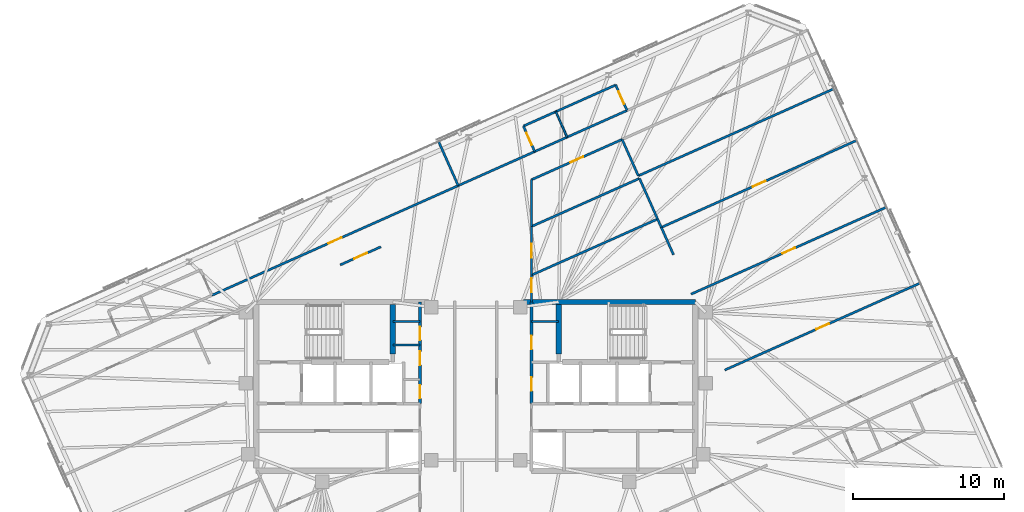
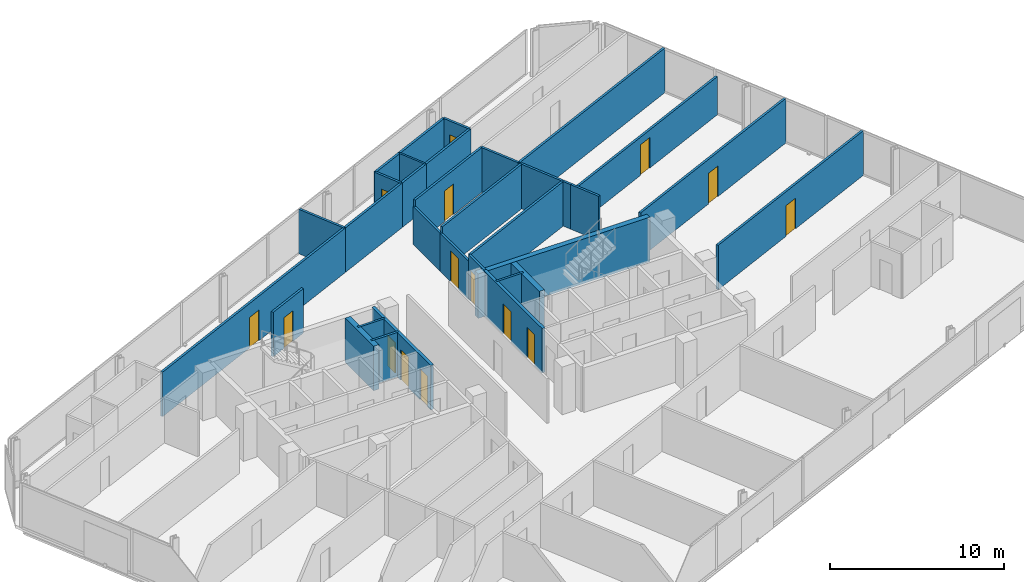
# One storey, part 16 of 19: 33 walls, 15 doors, 15 openings.
"""IFC4 building model written with IfcOpenShell, lengths in metres."""

from ifc_helpers import new_model, si_unit, direction, frame, frame_2d, origin, place, context, subcontext, project, spatial, rectangle, extrude, material, layer, layer_set, type_object, element, fill, save


model = new_model("IFC4")

# Units and contexts
model_context = context("Model", 3, precision=1e-05, world=origin(), true_north=direction((0.0, 1.0)))
body_context = subcontext(model_context, "Body", "Model", "MODEL_VIEW")
ifc_project = project(units=[si_unit("LENGTHUNIT", "METRE"), si_unit("AREAUNIT", "SQUARE_METRE"), si_unit("VOLUMEUNIT", "CUBIC_METRE"), si_unit("PLANEANGLEUNIT", "RADIAN"), si_unit("MASSUNIT", "GRAM", prefix="KILO")], contexts=[model_context])

# Site, building, storey
site_placement = place(None, origin())
site = spatial("IfcSite", under=ifc_project, at=site_placement, CompositionType="ELEMENT")
building_placement = place(site_placement, origin())
building = spatial("IfcBuilding", under=site, at=building_placement, Name="Menara Jurai Vektor", CompositionType="ELEMENT")
storey_placement = place(building_placement, frame((0.0, 0.0, 288.60009765625)))
storey = spatial("IfcBuildingStorey", under=building, at=storey_placement, Name="L77", CompositionType="ELEMENT", Elevation=288.60009765625)

# Walls
ifc_material_1 = material(Name="Gypsum Fireboard Partition", Category="gypsum")
ifc_layer_1 = layer(ifc_material_1, 0.14990234375)
ifc_layer_set_1 = layer_set([ifc_layer_1], Name="Gypsum Fireboard Partition")
wall_type_1 = type_object("IfcWallType", Name="INT-WALL-CORR-150", PredefinedType="PARTITIONING", material=ifc_layer_set_1)
for number, where, z_axis, x_axis, name in (
    (1, (-5.5, 4.300048828125, 0.0), (0.0, 0.0, 1.0), (1.0, 0.0, 0.0), "Interior Wall IW-150 L77"),
    (2, (-5.5, 2.75, 0.0), (0.0, 0.0, 1.0), (1.0, 0.0, 0.0), "Interior Wall IW-150 L77"),
    (3, (3.699951171875, 4.300048828125, 0.0), (0.0, 0.0, 1.0), (1.0, 0.0, 0.0), "Interior Wall IW-150 L77"),
):
    element("IfcWall", number, at=place(storey_placement, frame(where, z_axis=z_axis, x_axis=x_axis)), inside=storey, type_object=wall_type_1, Name=name, PredefinedType="PARTITIONING", context=body_context, shape_type="SweptSolid", body=[
        extrude(rectangle(XDim=1.800048828125, YDim=0.14990234375, at=frame_2d((0.89990234375, 0.0))), origin(), (0.0, 0.0, 1.0), 3.125),
    ])

# Wall, opening, door
wall_1_placement = place(storey_placement, frame((-17.499267578125, 6.03759765625, 0.0), z_axis=(0.0, 0.0, 1.0), x_axis=(0.913541623157, 0.406745255362, 0.0)))
wall_1 = element("IfcWall", 4, at=wall_1_placement, inside=storey, type_object=wall_type_1, Name="Interior Wall IW-150 L77", PredefinedType="PARTITIONING", context=body_context, shape_type="SweptSolid", body=[
    extrude(rectangle(XDim=17.879150390625, YDim=0.14990234375, at=frame_2d((8.939453125, 0.0))), origin(), (0.0, 0.0, 1.0), 3.125),
])
opening_1_placement = place(wall_1_placement, frame((8.464599609375, 0.0, 0.0)))
opening_1 = element("IfcOpeningElement", 5, at=opening_1_placement, cuts=wall_1, Name="Opening D77-10", PredefinedType="OPENING", context=body_context, shape_type="SweptSolid", body=[
    extrude(rectangle(XDim=0.949951171875, YDim=2.14990234375, at=frame_2d((0.47509765625, 1.074951171875))), frame((0.0, 0.0849609375, 0.0), z_axis=(0.0, -1.0, 0.0), x_axis=(1.0, 0.0, 0.0)), (0.0, 0.0, 1.0), 0.169921875),
])
ifc_material_2 = material(Name="Solid Core Timber Fire Door", Category="wood")
door_type_1 = type_object("IfcDoorType", Name="DR-ENTRY-950", OperationType="NOTDEFINED", PredefinedType="DOOR", material=ifc_material_2)
door_1_placement = place(opening_1_placement, origin())
door_1 = element("IfcDoor", 6, at=door_1_placement, inside=storey, type_object=door_type_1, Name="Interior Door D77-10", OperationType="SINGLE_SWING_RIGHT", OverallHeight=2.14990234375, OverallWidth=0.949951171875, PredefinedType="DOOR", context=body_context, shape_type="SweptSolid", body=[
    extrude(rectangle(XDim=0.949951171875, YDim=2.14990234375, at=frame_2d((0.47509765625, 1.074951171875))), frame((0.0, 0.02490234375, 0.0), z_axis=(0.0, -1.0, 0.0), x_axis=(1.0, 0.0, 0.0)), (0.0, 0.0, 1.0), 0.050048828125),
])
fill(opening_1, door_1)

# Walls
wall_2_placement = place(storey_placement, frame((-1.166015625, 13.309814453125, 0.0), z_axis=(0.0, 0.0, 1.0), x_axis=(0.913554005831, 0.406717442988, 0.0)))
element("IfcWall", 7, at=wall_2_placement, inside=storey, type_object=wall_type_1, Name="Interior Wall IW-150 L77", PredefinedType="PARTITIONING", context=body_context, shape_type="SweptSolid", body=[
    extrude(rectangle(XDim=5.554931640625, YDim=0.14990234375, at=frame_2d((2.77734375, 0.0))), origin(), (0.0, 0.0, 1.0), 3.125),
])
wall_3_placement = place(storey_placement, frame((3.90869140625, 15.569091796875, 0.0), z_axis=(0.0, 0.0, 1.0), x_axis=(0.913541436194, 0.406745675276, 0.0)))
element("IfcWall", 8, at=wall_3_placement, inside=storey, type_object=wall_type_1, Name="Interior Wall IW-150 L77", PredefinedType="PARTITIONING", context=body_context, shape_type="SweptSolid", body=[
    extrude(rectangle(XDim=2.349853515625, YDim=0.14990234375, at=frame_2d((1.1748046875, 0.0))), origin(), (0.0, 0.0, 1.0), 3.125),
])
wall_4_placement = place(storey_placement, frame((6.055419921875, 16.52490234375, 0.0), z_axis=(0.0, 0.0, 1.0), x_axis=(0.913554477336, 0.406716383908, 0.0)))
element("IfcWall", 9, at=wall_4_placement, inside=storey, type_object=wall_type_1, Name="Interior Wall IW-150 L77", PredefinedType="PARTITIONING", context=body_context, shape_type="SweptSolid", body=[
    extrude(rectangle(XDim=4.35009765625, YDim=0.14990234375, at=frame_2d((2.175048828125, 0.0))), origin(), (0.0, 0.0, 1.0), 3.125),
])

# Wall, opening, door
wall_5_placement = place(storey_placement, frame((3.7001953125, 5.6005859375, 0.0), z_axis=(0.0, 0.0, 1.0), x_axis=(0.0, 1.0, 0.0)))
wall_5 = element("IfcWall", 10, at=wall_5_placement, inside=storey, type_object=wall_type_1, Name="Interior Wall IW-150 L77", PredefinedType="PARTITIONING", context=body_context, shape_type="SweptSolid", body=[
    extrude(rectangle(XDim=1.775390625, YDim=0.14990234375, at=frame_2d((0.8876953125, 0.0))), origin(), (0.0, 0.0, 1.0), 3.125),
])
opening_2_placement = place(wall_5_placement, frame((0.635498046875, 0.0, 0.0)))
opening_2 = element("IfcOpeningElement", 11, at=opening_2_placement, cuts=wall_5, Name="Opening D77-37", PredefinedType="OPENING", context=body_context, shape_type="SweptSolid", body=[
    extrude(rectangle(XDim=0.919921875, YDim=2.14990234375, at=frame_2d((0.4599609375, 1.074951171875))), frame((0.0, 0.0849609375, 0.0), z_axis=(0.0, -1.0, 0.0), x_axis=(1.0, 0.0, 0.0)), (0.0, 0.0, 1.0), 0.169921875),
])
door_2_placement = place(opening_2_placement, origin())
door_2 = element("IfcDoor", 12, at=door_2_placement, inside=storey, type_object=door_type_1, Name="Interior Door D77-37", OperationType="SINGLE_SWING_LEFT", OverallHeight=2.14990234375, OverallWidth=0.919921875, PredefinedType="DOOR", context=body_context, shape_type="SweptSolid", body=[
    extrude(rectangle(XDim=0.919921875, YDim=2.14990234375, at=frame_2d((0.4599609375, 1.074951171875))), frame((0.0, 0.02490234375, 0.0), z_axis=(0.0, -1.0, 0.0), x_axis=(1.0, 0.0, 0.0)), (0.0, 0.0, 1.0), 0.050048828125),
])
fill(opening_2, door_2)

wall_6_placement = place(storey_placement, frame((3.69970703125, 13.702880859375, 0.0), z_axis=(0.0, 0.0, 1.0), x_axis=(0.913549363376, 0.406727870542, 0.0)))
wall_6 = element("IfcWall", 13, at=wall_6_placement, inside=storey, type_object=wall_type_1, Name="Interior Wall IW-150 L77", PredefinedType="PARTITIONING", context=body_context, shape_type="SweptSolid", body=[
    extrude(rectangle(XDim=6.571044921875, YDim=0.14990234375, at=frame_2d((3.28564453125, 0.0))), origin(), (0.0, 0.0, 1.0), 3.125),
])
opening_3_placement = place(wall_6_placement, frame((2.825439453125, 0.0, 0.0)))
opening_3 = element("IfcOpeningElement", 14, at=opening_3_placement, cuts=wall_6, Name="Opening D77-39", PredefinedType="OPENING", context=body_context, shape_type="SweptSolid", body=[
    extrude(rectangle(XDim=0.919921875, YDim=2.14990234375, at=frame_2d((0.4599609375, 1.074951171875))), frame((0.0, 0.0849609375, 0.0), z_axis=(0.0, -1.0, 0.0), x_axis=(1.0, 0.0, 0.0)), (0.0, 0.0, 1.0), 0.169921875),
])
door_3_placement = place(opening_3_placement, origin())
door_3 = element("IfcDoor", 15, at=door_3_placement, inside=storey, type_object=door_type_1, Name="Interior Door D77-39", OperationType="SINGLE_SWING_LEFT", OverallHeight=2.14990234375, OverallWidth=0.919921875, PredefinedType="DOOR", context=body_context, shape_type="SweptSolid", body=[
    extrude(rectangle(XDim=0.919921875, YDim=2.14990234375, at=frame_2d((0.4599609375, 1.074951171875))), frame((0.0, 0.02490234375, 0.0), z_axis=(0.0, -1.0, 0.0), x_axis=(1.0, 0.0, 0.0)), (0.0, 0.0, 1.0), 0.050048828125),
])
fill(opening_3, door_3)

wall_7_placement = place(storey_placement, frame((-8.9921875, 8.052001953125, 0.0), z_axis=(0.0, 0.0, 1.0), x_axis=(0.913535467925, 0.406759079607, 0.0)))
wall_7 = element("IfcWall", 16, at=wall_7_placement, inside=storey, type_object=wall_type_1, Name="Interior Wall IW-150 L77", PredefinedType="PARTITIONING", context=body_context, shape_type="SweptSolid", body=[
    extrude(rectangle(XDim=2.9560546875, YDim=0.14990234375, at=frame_2d((1.47802734375, 0.0))), origin(), (0.0, 0.0, 1.0), 3.125),
])
opening_4_placement = place(wall_7_placement, frame((1.01806640625, 0.0, 0.0)))
opening_4 = element("IfcOpeningElement", 17, at=opening_4_placement, cuts=wall_7, Name="Opening D77-41", PredefinedType="OPENING", context=body_context, shape_type="SweptSolid", body=[
    extrude(rectangle(XDim=0.919921875, YDim=2.14990234375, at=frame_2d((0.4599609375, 1.074951171875))), frame((0.0, 0.0849609375, 0.0), z_axis=(0.0, -1.0, 0.0), x_axis=(1.0, 0.0, 0.0)), (0.0, 0.0, 1.0), 0.169921875),
])
door_4_placement = place(opening_4_placement, origin())
door_4 = element("IfcDoor", 18, at=door_4_placement, inside=storey, type_object=door_type_1, Name="Interior Door D77-41", OperationType="SINGLE_SWING_LEFT", OverallHeight=2.14990234375, OverallWidth=0.919921875, PredefinedType="DOOR", context=body_context, shape_type="SweptSolid", body=[
    extrude(rectangle(XDim=0.919921875, YDim=2.14990234375, at=frame_2d((0.4599609375, 1.074951171875))), frame((0.0, 0.02490234375, 0.0), z_axis=(0.0, -1.0, 0.0), x_axis=(1.0, 0.0, 0.0)), (0.0, 0.0, 1.0), 0.050048828125),
])
fill(opening_4, door_4)

# Wall
wall_8_placement = place(storey_placement, frame((-1.166015625, 13.309814453125, 0.0), z_axis=(0.0, 0.0, 1.0), x_axis=(-0.406761717745, 0.913534293268, 0.0)))
element("IfcWall", 19, at=wall_8_placement, inside=storey, type_object=wall_type_1, Name="Interior Wall IW-150 L77", PredefinedType="PARTITIONING", context=body_context, shape_type="SweptSolid", body=[
    extrude(rectangle(XDim=3.197998046875, YDim=0.14990234375, at=frame_2d((1.59912109375, 0.0))), origin(), (0.0, 0.0, 1.0), 3.125),
])

# Wall, opening, door
wall_9_placement = place(storey_placement, frame((3.90869140625, 15.569091796875, 0.0), z_axis=(0.0, 0.0, 1.0), x_axis=(-0.406701600856, 0.913561058639, 0.0)))
wall_9 = element("IfcWall", 20, at=wall_9_placement, inside=storey, type_object=wall_type_1, Name="Interior Wall IW-150 L77", PredefinedType="PARTITIONING", context=body_context, shape_type="SweptSolid", body=[
    extrude(rectangle(XDim=1.85009765625, YDim=0.14990234375, at=frame_2d((0.925048828125, 0.0))), origin(), (0.0, 0.0, 1.0), 3.125),
])
opening_5_placement = place(wall_9_placement, frame((0.485107421875, 0.0, 0.0)))
opening_5 = element("IfcOpeningElement", 21, at=opening_5_placement, cuts=wall_9, Name="Opening D77-14", PredefinedType="OPENING", context=body_context, shape_type="SweptSolid", body=[
    extrude(rectangle(XDim=0.8798828125, YDim=2.14990234375, at=frame_2d((0.43994140625, 1.074951171875))), frame((0.0, 0.0849609375, 0.0), z_axis=(0.0, -1.0, 0.0), x_axis=(1.0, 0.0, 0.0)), (0.0, 0.0, 1.0), 0.169921875),
])
ifc_material_3 = material(Name="Moisture-Resistant Timber Door", Category="wood")
door_type_2 = type_object("IfcDoorType", Name="DR-BATH-880", OperationType="NOTDEFINED", PredefinedType="DOOR", material=ifc_material_3)
door_5_placement = place(opening_5_placement, origin())
door_5 = element("IfcDoor", 22, at=door_5_placement, inside=storey, type_object=door_type_2, Name="Interior Door D77-14", OperationType="SINGLE_SWING_RIGHT", OverallHeight=2.14990234375, OverallWidth=0.8798828125, PredefinedType="DOOR", context=body_context, shape_type="SweptSolid", body=[
    extrude(rectangle(XDim=0.8798828125, YDim=2.14990234375, at=frame_2d((0.43994140625, 1.074951171875))), frame((0.0, 0.02490234375, 0.0), z_axis=(0.0, -1.0, 0.0), x_axis=(1.0, 0.0, 0.0)), (0.0, 0.0, 1.0), 0.050048828125),
])
fill(opening_5, door_5)

# Walls
wall_10_placement = place(storey_placement, frame((3.15625, 17.25927734375, 0.0), z_axis=(0.0, 0.0, 1.0), x_axis=(0.913541436194, 0.406745675276, 0.0)))
element("IfcWall", 23, at=wall_10_placement, inside=storey, type_object=wall_type_1, Name="Interior Wall IW-150 L77", PredefinedType="PARTITIONING", context=body_context, shape_type="SweptSolid", body=[
    extrude(rectangle(XDim=2.349853515625, YDim=0.14990234375, at=frame_2d((1.1748046875, 0.0))), origin(), (0.0, 0.0, 1.0), 3.125),
])
wall_11_placement = place(storey_placement, frame((5.302978515625, 18.215087890625, 0.0), z_axis=(0.0, 0.0, 1.0), x_axis=(0.913554477336, 0.406716383908, 0.0)))
element("IfcWall", 24, at=wall_11_placement, inside=storey, type_object=wall_type_1, Name="Interior Wall IW-150 L77", PredefinedType="PARTITIONING", context=body_context, shape_type="SweptSolid", body=[
    extrude(rectangle(XDim=4.35009765625, YDim=0.14990234375, at=frame_2d((2.175048828125, 0.0))), origin(), (0.0, 0.0, 1.0), 3.125),
])

# Wall, opening, door
wall_12_placement = place(storey_placement, frame((10.029541015625, 18.294189453125, 0.0), z_axis=(0.0, 0.0, 1.0), x_axis=(-0.406701600856, 0.913561058639, 0.0)))
wall_12 = element("IfcWall", 25, at=wall_12_placement, inside=storey, type_object=wall_type_1, Name="Interior Wall IW-150 L77", PredefinedType="PARTITIONING", context=body_context, shape_type="SweptSolid", body=[
    extrude(rectangle(XDim=1.85009765625, YDim=0.14990234375, at=frame_2d((0.925048828125, 0.0))), origin(), (0.0, 0.0, 1.0), 3.125),
])
opening_6_placement = place(wall_12_placement, frame((0.47509765625, 0.0, 0.0)))
opening_6 = element("IfcOpeningElement", 26, at=opening_6_placement, cuts=wall_12, Name="Opening D77-15", PredefinedType="OPENING", context=body_context, shape_type="SweptSolid", body=[
    extrude(rectangle(XDim=0.89990234375, YDim=2.14990234375, at=frame_2d((0.449951171875, 1.074951171875))), frame((0.0, 0.0849609375, 0.0), z_axis=(0.0, -1.0, 0.0), x_axis=(1.0, 0.0, 0.0)), (0.0, 0.0, 1.0), 0.169921875),
])
ifc_material_4 = material(Name="Acoustic Timber Interior Door", Category="wood")
door_type_3 = type_object("IfcDoorType", Name="DR-ROOM-900", OperationType="NOTDEFINED", PredefinedType="DOOR", material=ifc_material_4)
door_6_placement = place(opening_6_placement, origin())
door_6 = element("IfcDoor", 27, at=door_6_placement, inside=storey, type_object=door_type_3, Name="Interior Door D77-15", OperationType="SINGLE_SWING_LEFT", OverallHeight=2.14990234375, OverallWidth=0.89990234375, PredefinedType="DOOR", context=body_context, shape_type="SweptSolid", body=[
    extrude(rectangle(XDim=0.89990234375, YDim=2.14990234375, at=frame_2d((0.449951171875, 1.074951171875))), frame((0.0, 0.02490234375, 0.0), z_axis=(0.0, -1.0, 0.0), x_axis=(1.0, 0.0, 0.0)), (0.0, 0.0, 1.0), 0.050048828125),
])
fill(opening_6, door_6)

# Walls
wall_13_placement = place(storey_placement, frame((3.7001953125, 7.3759765625, 0.0), z_axis=(0.0, 0.0, 1.0), x_axis=(0.91354490899, 0.406737875367, 0.0)))
element("IfcWall", 28, at=wall_13_placement, inside=storey, type_object=wall_type_1, Name="Interior Wall IW-150 L77", PredefinedType="PARTITIONING", context=body_context, shape_type="SweptSolid", body=[
    extrude(rectangle(XDim=9.14404296875, YDim=0.14990234375, at=frame_2d((4.572021484375, 0.0))), origin(), (0.0, 0.0, 1.0), 3.125),
])
wall_14_placement = place(storey_placement, frame((13.108642578125, 8.7255859375, 0.0), z_axis=(0.0, 0.0, 1.0), x_axis=(-0.406788519224, 0.913522359128, 0.0)))
element("IfcWall", 29, at=wall_14_placement, inside=storey, type_object=wall_type_1, Name="Interior Wall IW-150 L77", PredefinedType="PARTITIONING", context=body_context, shape_type="SweptSolid", body=[
    extrude(rectangle(XDim=1.98583984375, YDim=0.14990234375, at=frame_2d((0.992919921875, 0.0))), origin(), (0.0, 0.0, 1.0), 3.125),
])
wall_15_placement = place(storey_placement, frame((12.30078125, 10.539794921875, 0.0), z_axis=(0.0, 0.0, 1.0), x_axis=(-0.406436552015, 0.913679007741, 0.0)))
element("IfcWall", 30, at=wall_15_placement, inside=storey, type_object=wall_type_1, Name="Interior Wall IW-150 L77", PredefinedType="PARTITIONING", context=body_context, shape_type="SweptSolid", body=[
    extrude(rectangle(XDim=0.60791015625, YDim=0.14990234375, at=frame_2d((0.303955078125, 0.0))), origin(), (0.0, 0.0, 1.0), 3.125),
])
wall_16_placement = place(storey_placement, frame((3.7001953125, 10.60400390625, 0.0), z_axis=(0.0, 0.0, 1.0), x_axis=(0.913534926439, 0.406760295722, 0.0)))
element("IfcWall", 31, at=wall_16_placement, inside=storey, type_object=wall_type_1, Name="Interior Wall IW-150 L77", PredefinedType="PARTITIONING", context=body_context, shape_type="SweptSolid", body=[
    extrude(rectangle(XDim=7.830810546875, YDim=0.14990234375, at=frame_2d((3.91552734375, 0.0))), origin(), (0.0, 0.0, 1.0), 3.125),
])
wall_17_placement = place(storey_placement, frame((12.0537109375, 11.09521484375, 0.0), z_axis=(0.0, 0.0, 1.0), x_axis=(-0.406798922371, 0.91351772657, 0.0)))
element("IfcWall", 32, at=wall_17_placement, inside=storey, type_object=wall_type_1, Name="Interior Wall IW-150 L77", PredefinedType="PARTITIONING", context=body_context, shape_type="SweptSolid", body=[
    extrude(rectangle(XDim=2.94921875, YDim=0.14990234375, at=frame_2d((1.474609375, 0.0))), origin(), (0.0, 0.0, 1.0), 3.125),
])
wall_18_placement = place(storey_placement, frame((10.777587890625, 13.9609375, 0.0), z_axis=(0.0, 0.0, 1.0), x_axis=(-0.406712614091, 0.913556155657, 0.0)))
element("IfcWall", 33, at=wall_18_placement, inside=storey, type_object=wall_type_1, Name="Interior Wall IW-150 L77", PredefinedType="PARTITIONING", context=body_context, shape_type="SweptSolid", body=[
    extrude(rectangle(XDim=2.64306640625, YDim=0.14990234375, at=frame_2d((1.321533203125, 0.0))), origin(), (0.0, 0.0, 1.0), 3.125),
])

# Wall, opening, door
wall_19_placement = place(storey_placement, frame((16.51171875, 1.081787109375, 0.0), z_axis=(0.0, 0.0, 1.0), x_axis=(0.913544622417, 0.406738519018, 0.0)))
wall_19 = element("IfcWall", 34, at=wall_19_placement, inside=storey, type_object=wall_type_1, Name="Interior Wall IW-150 L77", PredefinedType="PARTITIONING", context=body_context, shape_type="SweptSolid", body=[
    extrude(rectangle(XDim=14.192138671875, YDim=0.14990234375, at=frame_2d((7.09619140625, 0.0))), origin(), (0.0, 0.0, 1.0), 3.125),
])
opening_7_placement = place(wall_19_placement, frame((6.635986328125, 0.0, 0.0)))
opening_7 = element("IfcOpeningElement", 35, at=opening_7_placement, cuts=wall_19, Name="Opening D77-43", PredefinedType="OPENING", context=body_context, shape_type="SweptSolid", body=[
    extrude(rectangle(XDim=0.919921875, YDim=2.14990234375, at=frame_2d((0.4599609375, 1.074951171875))), frame((0.0, 0.0849609375, 0.0), z_axis=(0.0, -1.0, 0.0), x_axis=(1.0, 0.0, 0.0)), (0.0, 0.0, 1.0), 0.169921875),
])
door_7_placement = place(opening_7_placement, origin())
door_7 = element("IfcDoor", 36, at=door_7_placement, inside=storey, type_object=door_type_1, Name="Interior Door D77-43", OperationType="SINGLE_SWING_LEFT", OverallHeight=2.14990234375, OverallWidth=0.919921875, PredefinedType="DOOR", context=body_context, shape_type="SweptSolid", body=[
    extrude(rectangle(XDim=0.919921875, YDim=2.14990234375, at=frame_2d((0.4599609375, 1.074951171875))), frame((0.0, 0.02490234375, 0.0), z_axis=(0.0, -1.0, 0.0), x_axis=(1.0, 0.0, 0.0)), (0.0, 0.0, 1.0), 0.050048828125),
])
fill(opening_7, door_7)

wall_20_placement = place(storey_placement, frame((14.27197265625, 6.11279296875, 0.0), z_axis=(0.0, 0.0, 1.0), x_axis=(0.913551014388, 0.406724162191, 0.0)))
wall_20 = element("IfcWall", 37, at=wall_20_placement, inside=storey, type_object=wall_type_1, Name="Interior Wall IW-150 L77", PredefinedType="PARTITIONING", context=body_context, shape_type="SweptSolid", body=[
    extrude(rectangle(XDim=14.19189453125, YDim=0.14990234375, at=frame_2d((7.095947265625, 0.0))), origin(), (0.0, 0.0, 1.0), 3.125),
])
opening_8_placement = place(wall_20_placement, frame((6.635986328125, 0.0, 0.0)))
opening_8 = element("IfcOpeningElement", 38, at=opening_8_placement, cuts=wall_20, Name="Opening D77-44", PredefinedType="OPENING", context=body_context, shape_type="SweptSolid", body=[
    extrude(rectangle(XDim=0.919921875, YDim=2.14990234375, at=frame_2d((0.4599609375, 1.074951171875))), frame((0.0, 0.0849609375, 0.0), z_axis=(0.0, -1.0, 0.0), x_axis=(1.0, 0.0, 0.0)), (0.0, 0.0, 1.0), 0.169921875),
])
door_8_placement = place(opening_8_placement, origin())
door_8 = element("IfcDoor", 39, at=door_8_placement, inside=storey, type_object=door_type_1, Name="Interior Door D77-44", OperationType="SINGLE_SWING_RIGHT", OverallHeight=2.14990234375, OverallWidth=0.919921875, PredefinedType="DOOR", context=body_context, shape_type="SweptSolid", body=[
    extrude(rectangle(XDim=0.919921875, YDim=2.14990234375, at=frame_2d((0.4599609375, 1.074951171875))), frame((0.0, 0.02490234375, 0.0), z_axis=(0.0, -1.0, 0.0), x_axis=(1.0, 0.0, 0.0)), (0.0, 0.0, 1.0), 0.050048828125),
])
fill(opening_8, door_8)

# Wall
wall_21_placement = place(storey_placement, frame((10.777587890625, 13.9609375, 0.0), z_axis=(0.0, 0.0, 1.0), x_axis=(0.913544622417, 0.406738519018, 0.0)))
element("IfcWall", 40, at=wall_21_placement, inside=storey, type_object=wall_type_1, Name="Interior Wall IW-150 L77", PredefinedType="PARTITIONING", context=body_context, shape_type="SweptSolid", body=[
    extrude(rectangle(XDim=14.192138671875, YDim=0.14990234375, at=frame_2d((7.09619140625, 0.0))), origin(), (0.0, 0.0, 1.0), 3.125),
])

# Wall, opening, door
ifc_layer_2 = layer(ifc_material_1, 0.14990234375)
ifc_layer_set_2 = layer_set([ifc_layer_2], Name="Gypsum Fireboard Partition")
wall_type_2 = type_object("IfcWallType", Name="INT-WALL-CORR-150-H1", PredefinedType="PARTITIONING", material=ifc_layer_set_2)
wall_22_placement = place(storey_placement, frame((3.7001953125, 7.3759765625, 0.0), z_axis=(0.0, 0.0, 1.0), x_axis=(0.0, 1.0, 0.0)))
wall_22 = element("IfcWall", 41, at=wall_22_placement, inside=storey, type_object=wall_type_2, Name="Interior Wall IW-150 L77", PredefinedType="PARTITIONING", context=body_context, shape_type="SweptSolid", body=[
    extrude(rectangle(XDim=3.22802734375, YDim=0.14990234375, at=frame_2d((1.614013671875, 0.0))), origin(), (0.0, 0.0, 1.0), 2.6748046875),
])
opening_9_placement = place(wall_22_placement, frame((1.154052734375, 0.0, 0.0)))
opening_9 = element("IfcOpeningElement", 42, at=opening_9_placement, cuts=wall_22, Name="Opening D77-38", PredefinedType="OPENING", context=body_context, shape_type="SweptSolid", body=[
    extrude(rectangle(XDim=0.919921875, YDim=2.14990234375, at=frame_2d((0.4599609375, 1.074951171875))), frame((0.0, 0.0849609375, 0.0), z_axis=(0.0, -1.0, 0.0), x_axis=(1.0, 0.0, 0.0)), (0.0, 0.0, 1.0), 0.169921875),
])
door_9_placement = place(opening_9_placement, origin())
door_9 = element("IfcDoor", 43, at=door_9_placement, inside=storey, type_object=door_type_1, Name="Interior Door D77-38", OperationType="SINGLE_SWING_RIGHT", OverallHeight=2.14990234375, OverallWidth=0.919921875, PredefinedType="DOOR", context=body_context, shape_type="SweptSolid", body=[
    extrude(rectangle(XDim=0.919921875, YDim=2.14990234375, at=frame_2d((0.4599609375, 1.074951171875))), frame((0.0, 0.02490234375, 0.0), z_axis=(0.0, -1.0, 0.0), x_axis=(1.0, 0.0, 0.0)), (0.0, 0.0, 1.0), 0.050048828125),
])
fill(opening_9, door_9)

# Wall
wall_23_placement = place(storey_placement, frame((3.7001953125, 10.60400390625, 0.0), z_axis=(0.0, 0.0, 1.0), x_axis=(-0.000157567161, 0.999999987586, 0.0)))
element("IfcWall", 44, at=wall_23_placement, inside=storey, type_object=wall_type_2, Name="Interior Wall IW-150 L77", PredefinedType="PARTITIONING", context=body_context, shape_type="SweptSolid", body=[
    extrude(rectangle(XDim=3.098876953125, YDim=0.14990234375, at=frame_2d((1.54931640625, 0.0))), origin(), (0.0, 0.0, 1.0), 2.6748046875),
])

# Wall, opening, door
wall_24_placement = place(storey_placement, frame((12.30078125, 10.539794921875, 0.0), z_axis=(0.0, 0.0, 1.0), x_axis=(0.913544622417, 0.406738519018, 0.0)))
wall_24 = element("IfcWall", 45, at=wall_24_placement, inside=storey, type_object=wall_type_2, Name="Interior Wall IW-150 L77", PredefinedType="PARTITIONING", context=body_context, shape_type="SweptSolid", body=[
    extrude(rectangle(XDim=14.192138671875, YDim=0.14990234375, at=frame_2d((7.09619140625, 0.0))), origin(), (0.0, 0.0, 1.0), 2.6748046875),
])
opening_10_placement = place(wall_24_placement, frame((6.635986328125, 0.0, 0.0)))
opening_10 = element("IfcOpeningElement", 46, at=opening_10_placement, cuts=wall_24, Name="Opening D77-45", PredefinedType="OPENING", context=body_context, shape_type="SweptSolid", body=[
    extrude(rectangle(XDim=0.919921875, YDim=2.14990234375, at=frame_2d((0.4599609375, 1.074951171875))), frame((0.0, 0.0849609375, 0.0), z_axis=(0.0, -1.0, 0.0), x_axis=(1.0, 0.0, 0.0)), (0.0, 0.0, 1.0), 0.169921875),
])
door_10_placement = place(opening_10_placement, origin())
door_10 = element("IfcDoor", 47, at=door_10_placement, inside=storey, type_object=door_type_1, Name="Interior Door D77-45", OperationType="SINGLE_SWING_LEFT", OverallHeight=2.14990234375, OverallWidth=0.919921875, PredefinedType="DOOR", context=body_context, shape_type="SweptSolid", body=[
    extrude(rectangle(XDim=0.919921875, YDim=2.14990234375, at=frame_2d((0.4599609375, 1.074951171875))), frame((0.0, 0.02490234375, 0.0), z_axis=(0.0, -1.0, 0.0), x_axis=(1.0, 0.0, 0.0)), (0.0, 0.0, 1.0), 0.050048828125),
])
fill(opening_10, door_10)

# Wall
ifc_material_5 = material(Name="Gypsum Acoustic Stud Partition", Category="gypsum")
ifc_layer_3 = layer(ifc_material_5, 0.1201171875)
ifc_layer_set_3 = layer_set([ifc_layer_3], Name="Gypsum Acoustic Stud Partition")
wall_type_3 = type_object("IfcWallType", Name="INT-WALL-PART-120", PredefinedType="PARTITIONING", material=ifc_layer_set_3)
wall_25_placement = place(storey_placement, frame((6.055419921875, 16.52490234375, 0.0), z_axis=(0.0, 0.0, 1.0), x_axis=(-0.406701600856, 0.913561058639, 0.0)))
element("IfcWall", 48, at=wall_25_placement, inside=storey, type_object=wall_type_3, Name="Interior Wall IW-120 L77", PredefinedType="PARTITIONING", context=body_context, shape_type="SweptSolid", body=[
    extrude(rectangle(XDim=1.85009765625, YDim=0.1201171875, at=frame_2d((0.925048828125, 0.0))), origin(), (0.0, 0.0, 1.0), 3.125),
])

# Wall, openings, doors
ifc_material_6 = material(Name="Concrete C40/50", Category="concrete")
ifc_layer_4 = layer(ifc_material_6, 0.199951171875)
ifc_layer_set_4 = layer_set([ifc_layer_4], Name="Concrete C40/50")
wall_type_4 = type_object("IfcWallType", Name="INT-WALL-SHAFT-200", PredefinedType="STANDARD", material=ifc_layer_set_4)
wall_26_placement = place(storey_placement, frame((-3.699951171875, -1.14990234375, 0.0), z_axis=(0.0, 0.0, 1.0), x_axis=(0.0, 1.0, 0.0)))
wall_26 = element("IfcWall", 49, at=wall_26_placement, inside=storey, type_object=wall_type_4, Name="Interior Wall IW-200 L77", PredefinedType="STANDARD", context=body_context, shape_type="SweptSolid", body=[
    extrude(rectangle(XDim=6.75, YDim=0.199951171875, at=frame_2d((3.375, 0.0))), origin(), (0.0, 0.0, 1.0), 3.125),
])
opening_11_placement = place(wall_26_placement, frame((0.35009765625, 0.0, 0.0)))
opening_11 = element("IfcOpeningElement", 50, at=opening_11_placement, cuts=wall_26, Name="Opening D77-02", PredefinedType="OPENING", context=body_context, shape_type="SweptSolid", body=[
    extrude(rectangle(XDim=0.8798828125, YDim=2.14990234375, at=frame_2d((0.43994140625, 1.074951171875))), frame((0.0, 0.10986328125, 0.0), z_axis=(0.0, -1.0, 0.0), x_axis=(1.0, 0.0, 0.0)), (0.0, 0.0, 1.0), 0.219970703125),
])
opening_12_placement = place(wall_26_placement, frame((2.550048828125, 0.0, 0.0)))
opening_12 = element("IfcOpeningElement", 51, at=opening_12_placement, cuts=wall_26, Name="Opening D77-03", PredefinedType="OPENING", context=body_context, shape_type="SweptSolid", body=[
    extrude(rectangle(XDim=0.919921875, YDim=2.14990234375, at=frame_2d((0.4599609375, 1.074951171875))), frame((0.0, 0.10986328125, 0.0), z_axis=(0.0, -1.0, 0.0), x_axis=(1.0, 0.0, 0.0)), (0.0, 0.0, 1.0), 0.219970703125),
])
opening_13_placement = place(wall_26_placement, frame((4.219970703125, 0.0, 0.0)))
opening_13 = element("IfcOpeningElement", 52, at=opening_13_placement, cuts=wall_26, Name="Opening D77-04", PredefinedType="OPENING", context=body_context, shape_type="SweptSolid", body=[
    extrude(rectangle(XDim=0.8798828125, YDim=2.14990234375, at=frame_2d((0.43994140625, 1.074951171875))), frame((0.0, 0.10986328125, 0.0), z_axis=(0.0, -1.0, 0.0), x_axis=(1.0, 0.0, 0.0)), (0.0, 0.0, 1.0), 0.219970703125),
])
door_11_placement = place(opening_11_placement, origin())
door_11 = element("IfcDoor", 53, at=door_11_placement, inside=storey, type_object=door_type_1, Name="Interior Door D77-02", OperationType="SINGLE_SWING_LEFT", OverallHeight=2.14990234375, OverallWidth=0.8798828125, PredefinedType="DOOR", context=body_context, shape_type="SweptSolid", body=[
    extrude(rectangle(XDim=0.8798828125, YDim=2.14990234375, at=frame_2d((0.43994140625, 1.074951171875))), frame((0.0, 0.02490234375, 0.0), z_axis=(0.0, -1.0, 0.0), x_axis=(1.0, 0.0, 0.0)), (0.0, 0.0, 1.0), 0.050048828125),
])
fill(opening_11, door_11)
door_12_placement = place(opening_12_placement, origin())
door_12 = element("IfcDoor", 54, at=door_12_placement, inside=storey, type_object=door_type_1, Name="Interior Door D77-03", OperationType="SINGLE_SWING_LEFT", OverallHeight=2.14990234375, OverallWidth=0.919921875, PredefinedType="DOOR", context=body_context, shape_type="SweptSolid", body=[
    extrude(rectangle(XDim=0.919921875, YDim=2.14990234375, at=frame_2d((0.4599609375, 1.074951171875))), frame((0.0, 0.02490234375, 0.0), z_axis=(0.0, -1.0, 0.0), x_axis=(1.0, 0.0, 0.0)), (0.0, 0.0, 1.0), 0.050048828125),
])
fill(opening_12, door_12)
door_13_placement = place(opening_13_placement, origin())
door_13 = element("IfcDoor", 55, at=door_13_placement, inside=storey, type_object=door_type_1, Name="Interior Door D77-04", OperationType="SINGLE_SWING_LEFT", OverallHeight=2.14990234375, OverallWidth=0.8798828125, PredefinedType="DOOR", context=body_context, shape_type="SweptSolid", body=[
    extrude(rectangle(XDim=0.8798828125, YDim=2.14990234375, at=frame_2d((0.43994140625, 1.074951171875))), frame((0.0, 0.02490234375, 0.0), z_axis=(0.0, -1.0, 0.0), x_axis=(1.0, 0.0, 0.0)), (0.0, 0.0, 1.0), 0.050048828125),
])
fill(opening_13, door_13)

wall_27_placement = place(storey_placement, frame((3.699951171875, -1.14990234375, 0.0), z_axis=(0.0, 0.0, 1.0), x_axis=(0.0, 1.0, 0.0)))
wall_27 = element("IfcWall", 56, at=wall_27_placement, inside=storey, type_object=wall_type_4, Name="Interior Wall IW-200 L77", PredefinedType="STANDARD", context=body_context, shape_type="SweptSolid", body=[
    extrude(rectangle(XDim=6.75, YDim=0.199951171875, at=frame_2d((3.375, 0.0))), origin(), (0.0, 0.0, 1.0), 3.125),
])
opening_14_placement = place(wall_27_placement, frame((3.60009765625, 0.0, 0.0)))
opening_14 = element("IfcOpeningElement", 57, at=opening_14_placement, cuts=wall_27, Name="Opening D77-07", PredefinedType="OPENING", context=body_context, shape_type="SweptSolid", body=[
    extrude(rectangle(XDim=0.919921875, YDim=2.14990234375, at=frame_2d((0.4599609375, 1.074951171875))), frame((0.0, 0.10986328125, 0.0), z_axis=(0.0, -1.0, 0.0), x_axis=(1.0, 0.0, 0.0)), (0.0, 0.0, 1.0), 0.219970703125),
])
opening_15_placement = place(wall_27_placement, frame((0.85009765625, 0.0, 0.0)))
opening_15 = element("IfcOpeningElement", 58, at=opening_15_placement, cuts=wall_27, Name="Opening D77-08", PredefinedType="OPENING", context=body_context, shape_type="SweptSolid", body=[
    extrude(rectangle(XDim=0.89990234375, YDim=2.14990234375, at=frame_2d((0.449951171875, 1.074951171875))), frame((0.0, 0.10986328125, 0.0), z_axis=(0.0, -1.0, 0.0), x_axis=(1.0, 0.0, 0.0)), (0.0, 0.0, 1.0), 0.219970703125),
])
door_14_placement = place(opening_14_placement, origin())
door_14 = element("IfcDoor", 59, at=door_14_placement, inside=storey, type_object=door_type_1, Name="Interior Door D77-07", OperationType="SINGLE_SWING_RIGHT", OverallHeight=2.14990234375, OverallWidth=0.919921875, PredefinedType="DOOR", context=body_context, shape_type="SweptSolid", body=[
    extrude(rectangle(XDim=0.919921875, YDim=2.14990234375, at=frame_2d((0.4599609375, 1.074951171875))), frame((0.0, 0.02490234375, 0.0), z_axis=(0.0, -1.0, 0.0), x_axis=(1.0, 0.0, 0.0)), (0.0, 0.0, 1.0), 0.050048828125),
])
fill(opening_14, door_14)
door_15_placement = place(opening_15_placement, origin())
door_15 = element("IfcDoor", 60, at=door_15_placement, inside=storey, type_object=door_type_1, Name="Interior Door D77-08", OperationType="SINGLE_SWING_RIGHT", OverallHeight=2.14990234375, OverallWidth=0.89990234375, PredefinedType="DOOR", context=body_context, shape_type="SweptSolid", body=[
    extrude(rectangle(XDim=0.89990234375, YDim=2.14990234375, at=frame_2d((0.449951171875, 1.074951171875))), frame((0.0, 0.02490234375, 0.0), z_axis=(0.0, -1.0, 0.0), x_axis=(1.0, 0.0, 0.0)), (0.0, 0.0, 1.0), 0.050048828125),
])
fill(opening_15, door_15)

# Walls
ifc_material_7 = material(Name="Concrete C50/60", Category="concrete")
ifc_layer_5 = layer(ifc_material_7, 0.35009765625)
ifc_layer_set_5 = layer_set([ifc_layer_5], Name="Concrete C50/60")
wall_type_5 = type_object("IfcWallType", Name="STR-WALL-CORE350", PredefinedType="SHEAR", material=ifc_layer_set_5)
wall_28_placement = place(storey_placement, frame((-5.5, 2.14990234375, 0.0), z_axis=(0.0, 0.0, 1.0), x_axis=(0.0, 1.0, 0.0)))
element("IfcWall", 61, at=wall_28_placement, inside=storey, type_object=wall_type_5, Name="Core Shear Wall CW-W-ST L77", PredefinedType="SHEAR", context=body_context, shape_type="SweptSolid", body=[
    extrude(rectangle(XDim=3.275146484375, YDim=0.35009765625, at=frame_2d((1.6376953125, 0.0))), origin(), (0.0, 0.0, 1.0), 3.125),
])
wall_29_placement = place(storey_placement, frame((3.14990234375, 5.60009765625, 0.0), z_axis=(0.0, 0.0, 1.0), x_axis=(1.0, 0.0, 0.0)))
element("IfcWall", 62, at=wall_29_placement, inside=storey, type_object=wall_type_5, Name="Core Shear Wall CW-E-N L77", PredefinedType="SHEAR", context=body_context, shape_type="SweptSolid", body=[
    extrude(rectangle(XDim=11.41015625, YDim=0.35009765625, at=frame_2d((5.705078125, 0.0))), origin(), (0.0, 0.0, 1.0), 3.125),
])
wall_30_placement = place(storey_placement, frame((5.5, 2.14990234375, 0.0), z_axis=(0.0, 0.0, 1.0), x_axis=(0.0, 1.0, 0.0)))
element("IfcWall", 63, at=wall_30_placement, inside=storey, type_object=wall_type_5, Name="Core Shear Wall CW-E-ST L77", PredefinedType="SHEAR", context=body_context, shape_type="SweptSolid", body=[
    extrude(rectangle(XDim=3.275146484375, YDim=0.35009765625, at=frame_2d((1.6376953125, 0.0))), origin(), (0.0, 0.0, 1.0), 3.125),
])

save(model, "model.ifc")
